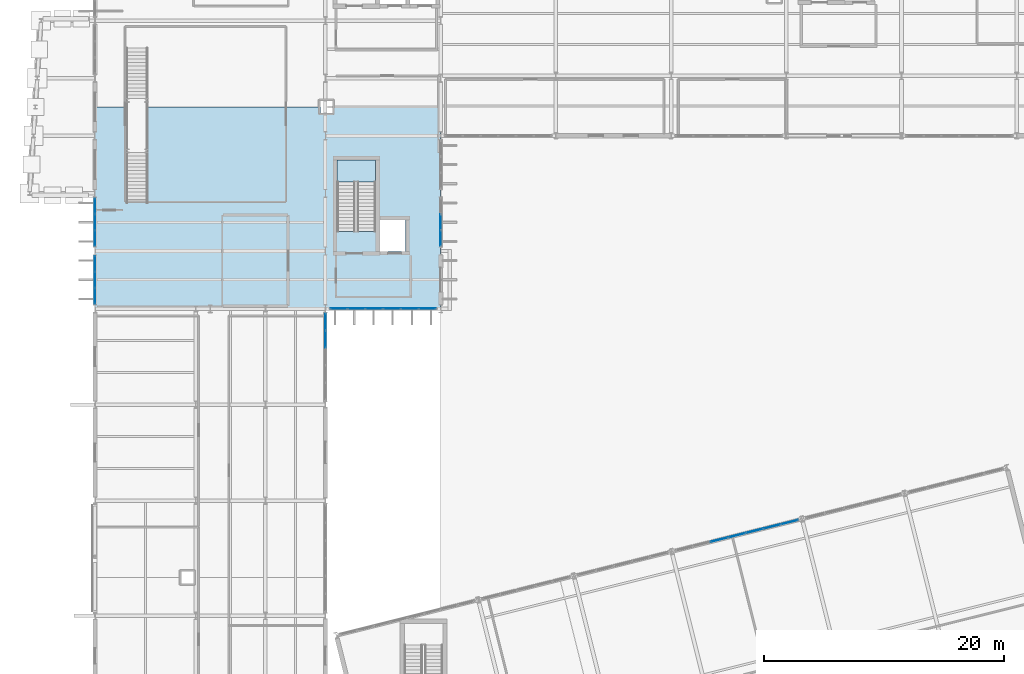
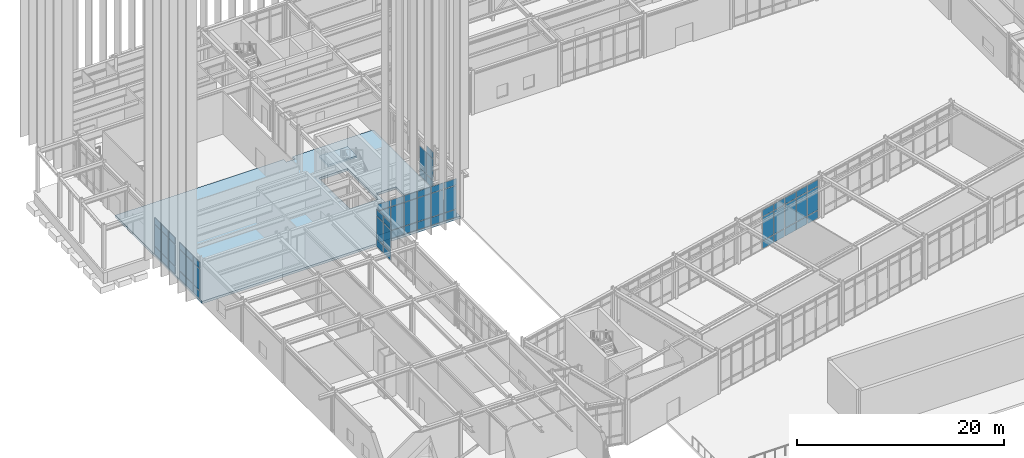
# One storey, part 72 of 109: 62 plates, 2 slabs, 7 elements without a shape of their own.
"""IFC4 building model written with IfcOpenShell, lengths in metres."""

from ifc_helpers import new_model, si_unit, direction, frame, origin, origin_2d, place, context, subcontext, project, spatial, polyline, rectangle, outline, extrude, material, layer, layer_set, type_object, element, aggregate, save


model = new_model("IFC4")

# Units and contexts
model_context = context("Model", 3, precision=1e-05, world=origin(), true_north=direction((0.0, 1.0)))
body_context = subcontext(model_context, "Body", "Model", "MODEL_VIEW")
ifc_project = project(units=[si_unit("LENGTHUNIT", "METRE"), si_unit("AREAUNIT", "SQUARE_METRE"), si_unit("VOLUMEUNIT", "CUBIC_METRE"), si_unit("PLANEANGLEUNIT", "RADIAN"), si_unit("MASSUNIT", "GRAM", prefix="KILO")], contexts=[model_context])

# Site, building, storey
site_placement = place(None, origin())
site = spatial("IfcSite", under=ifc_project, at=site_placement, CompositionType="ELEMENT")
building_placement = place(site_placement, origin())
building = spatial("IfcBuilding", under=site, at=building_placement, Name="Nordkorset Police Headquarters", CompositionType="ELEMENT")
storey_placement = place(building_placement, origin())
storey = spatial("IfcBuildingStorey", under=building, at=storey_placement, Name="L00", CompositionType="ELEMENT", Elevation=0.0)

# Curtain wall, plates
ifc_material_1 = material(Name="Aluminium alloy AW-6060", Category="aluminium")
ifc_layer_1 = layer(ifc_material_1, 0.179931640625, Name="Aluminium alloy AW-6060")
ifc_layer_set_1 = layer_set([ifc_layer_1], Name="Aluminium alloy AW-6060")
curtain_wall_type_1 = type_object("IfcCurtainWallType", Name="CW_Unit_408x444", PredefinedType="USERDEFINED", material=ifc_layer_set_1)
curtain_wall_1_placement = place(storey_placement, origin())
curtain_wall_1 = element("IfcCurtainWall", 1, at=curtain_wall_1_placement, inside=storey, type_object=curtain_wall_type_1, Name="Unitised Curtain Wall L00 V1W-0", ObjectType="UNITISED CURTAIN WALL", PredefinedType="USERDEFINED")
ifc_material_2 = material(Name="Low-iron triple glazing", Category="glass")
ifc_layer_2 = layer(ifc_material_2, 0.035888671875, Name="Low-iron triple glazing")
ifc_layer_set_2 = layer_set([ifc_layer_2], Name="Low-iron triple glazing")
plate_type = type_object("IfcPlateType", Name="CW_Panel_TripleGlazing_36", PredefinedType="CURTAIN_PANEL", material=ifc_layer_set_2)
plate_1_placement = place(storey_placement, frame((0.0, 84.25634765625, 0.06494140625), z_axis=(0.0, 0.0, 1.0), x_axis=(0.0, 1.0, 0.0)))
plate_1 = element("IfcPlate", 2, at=plate_1_placement, type_object=plate_type, Name="CW-66 panel 1.1", PredefinedType="CURTAIN_PANEL", context=body_context, shape_type="SweptSolid", body=[
    extrude(rectangle(XDim=1.262451171875, YDim=0.035888671875, at=origin_2d()), origin(), (0.0, 0.0, 1.0), 0.902587890625),
])
plate_2_placement = place(storey_placement, frame((0.0, 84.25634765625, 1.032470703125), z_axis=(0.0, 0.0, 1.0), x_axis=(0.0, 1.0, 0.0)))
plate_2 = element("IfcPlate", 3, at=plate_2_placement, type_object=plate_type, Name="CW-66 panel 1.2", PredefinedType="CURTAIN_PANEL", context=body_context, shape_type="SweptSolid", body=[
    extrude(rectangle(XDim=1.262451171875, YDim=0.035888671875, at=origin_2d()), origin(), (0.0, 0.0, 1.0), 2.52490234375),
])
plate_3_placement = place(storey_placement, frame((0.0, 84.25634765625, 3.62255859375), z_axis=(0.0, 0.0, 1.0), x_axis=(0.0, 1.0, 0.0)))
plate_3 = element("IfcPlate", 4, at=plate_3_placement, type_object=plate_type, Name="CW-66 panel 1.3", PredefinedType="CURTAIN_PANEL", context=body_context, shape_type="SweptSolid", body=[
    extrude(rectangle(XDim=1.262451171875, YDim=0.035888671875, at=origin_2d()), origin(), (0.0, 0.0, 1.0), 0.75244140625),
])
plate_4_placement = place(storey_placement, frame((0.0, 85.60009765625, 0.06494140625), z_axis=(0.0, 0.0, 1.0), x_axis=(0.0, 1.0, 0.0)))
plate_4 = element("IfcPlate", 5, at=plate_4_placement, type_object=plate_type, Name="CW-66 panel 2.1", PredefinedType="CURTAIN_PANEL", context=body_context, shape_type="SweptSolid", body=[
    extrude(rectangle(XDim=1.294921875, YDim=0.035888671875, at=origin_2d()), origin(), (0.0, 0.0, 1.0), 0.902587890625),
])
plate_5_placement = place(storey_placement, frame((0.0, 85.60009765625, 1.032470703125), z_axis=(0.0, 0.0, 1.0), x_axis=(0.0, 1.0, 0.0)))
plate_5 = element("IfcPlate", 6, at=plate_5_placement, type_object=plate_type, Name="CW-66 panel 2.2", PredefinedType="CURTAIN_PANEL", context=body_context, shape_type="SweptSolid", body=[
    extrude(rectangle(XDim=1.294921875, YDim=0.035888671875, at=origin_2d()), origin(), (0.0, 0.0, 1.0), 2.52490234375),
])
plate_6_placement = place(storey_placement, frame((0.0, 85.60009765625, 3.62255859375), z_axis=(0.0, 0.0, 1.0), x_axis=(0.0, 1.0, 0.0)))
plate_6 = element("IfcPlate", 7, at=plate_6_placement, type_object=plate_type, Name="CW-66 panel 2.3", PredefinedType="CURTAIN_PANEL", context=body_context, shape_type="SweptSolid", body=[
    extrude(rectangle(XDim=1.294921875, YDim=0.035888671875, at=origin_2d()), origin(), (0.0, 0.0, 1.0), 0.75244140625),
])
plate_7_placement = place(storey_placement, frame((0.0, 86.94384765625, 0.06494140625), z_axis=(0.0, 0.0, 1.0), x_axis=(0.0, 1.0, 0.0)))
plate_7 = element("IfcPlate", 8, at=plate_7_placement, type_object=plate_type, Name="CW-66 panel 3.1", PredefinedType="CURTAIN_PANEL", context=body_context, shape_type="SweptSolid", body=[
    extrude(rectangle(XDim=1.262451171875, YDim=0.035888671875, at=origin_2d()), origin(), (0.0, 0.0, 1.0), 0.902587890625),
])
plate_8_placement = place(storey_placement, frame((0.0, 86.94384765625, 1.032470703125), z_axis=(0.0, 0.0, 1.0), x_axis=(0.0, 1.0, 0.0)))
plate_8 = element("IfcPlate", 9, at=plate_8_placement, type_object=plate_type, Name="CW-66 panel 3.2", PredefinedType="CURTAIN_PANEL", context=body_context, shape_type="SweptSolid", body=[
    extrude(rectangle(XDim=1.262451171875, YDim=0.035888671875, at=origin_2d()), origin(), (0.0, 0.0, 1.0), 2.52490234375),
])
plate_9_placement = place(storey_placement, frame((0.0, 86.94384765625, 3.62255859375), z_axis=(0.0, 0.0, 1.0), x_axis=(0.0, 1.0, 0.0)))
plate_9 = element("IfcPlate", 10, at=plate_9_placement, type_object=plate_type, Name="CW-66 panel 3.3", PredefinedType="CURTAIN_PANEL", context=body_context, shape_type="SweptSolid", body=[
    extrude(rectangle(XDim=1.262451171875, YDim=0.035888671875, at=origin_2d()), origin(), (0.0, 0.0, 1.0), 0.75244140625),
])
aggregate(curtain_wall_1, [plate_1, plate_2, plate_3, plate_4, plate_5, plate_6, plate_7, plate_8, plate_9])

curtain_wall_2_placement = place(storey_placement, origin())
curtain_wall_2 = element("IfcCurtainWall", 11, at=curtain_wall_2_placement, inside=storey, type_object=curtain_wall_type_1, Name="Unitised Curtain Wall L00 V1W-1", ObjectType="UNITISED CURTAIN WALL", PredefinedType="USERDEFINED")
plate_10_placement = place(storey_placement, frame((0.0, 89.05615234375, 0.06494140625), z_axis=(0.0, 0.0, 1.0), x_axis=(0.0, 1.0, 0.0)))
plate_10 = element("IfcPlate", 12, at=plate_10_placement, type_object=plate_type, Name="CW-66 panel 1.1", PredefinedType="CURTAIN_PANEL", context=body_context, shape_type="SweptSolid", body=[
    extrude(rectangle(XDim=1.262451171875, YDim=0.035888671875, at=origin_2d()), origin(), (0.0, 0.0, 1.0), 0.902587890625),
])
plate_11_placement = place(storey_placement, frame((0.0, 89.05615234375, 1.032470703125), z_axis=(0.0, 0.0, 1.0), x_axis=(0.0, 1.0, 0.0)))
plate_11 = element("IfcPlate", 13, at=plate_11_placement, type_object=plate_type, Name="CW-66 panel 1.2", PredefinedType="CURTAIN_PANEL", context=body_context, shape_type="SweptSolid", body=[
    extrude(rectangle(XDim=1.262451171875, YDim=0.035888671875, at=origin_2d()), origin(), (0.0, 0.0, 1.0), 2.52490234375),
])
plate_12_placement = place(storey_placement, frame((0.0, 89.05615234375, 3.62255859375), z_axis=(0.0, 0.0, 1.0), x_axis=(0.0, 1.0, 0.0)))
plate_12 = element("IfcPlate", 14, at=plate_12_placement, type_object=plate_type, Name="CW-66 panel 1.3", PredefinedType="CURTAIN_PANEL", context=body_context, shape_type="SweptSolid", body=[
    extrude(rectangle(XDim=1.262451171875, YDim=0.035888671875, at=origin_2d()), origin(), (0.0, 0.0, 1.0), 0.75244140625),
])
plate_13_placement = place(storey_placement, frame((0.0, 90.39990234375, 0.06494140625), z_axis=(0.0, 0.0, 1.0), x_axis=(0.0, 1.0, 0.0)))
plate_13 = element("IfcPlate", 15, at=plate_13_placement, type_object=plate_type, Name="CW-66 panel 2.1", PredefinedType="CURTAIN_PANEL", context=body_context, shape_type="SweptSolid", body=[
    extrude(rectangle(XDim=1.294921875, YDim=0.035888671875, at=origin_2d()), origin(), (0.0, 0.0, 1.0), 0.902587890625),
])
plate_14_placement = place(storey_placement, frame((0.0, 90.39990234375, 1.032470703125), z_axis=(0.0, 0.0, 1.0), x_axis=(0.0, 1.0, 0.0)))
plate_14 = element("IfcPlate", 16, at=plate_14_placement, type_object=plate_type, Name="CW-66 panel 2.2", PredefinedType="CURTAIN_PANEL", context=body_context, shape_type="SweptSolid", body=[
    extrude(rectangle(XDim=1.294921875, YDim=0.035888671875, at=origin_2d()), origin(), (0.0, 0.0, 1.0), 2.52490234375),
])
plate_15_placement = place(storey_placement, frame((0.0, 90.39990234375, 3.62255859375), z_axis=(0.0, 0.0, 1.0), x_axis=(0.0, 1.0, 0.0)))
plate_15 = element("IfcPlate", 17, at=plate_15_placement, type_object=plate_type, Name="CW-66 panel 2.3", PredefinedType="CURTAIN_PANEL", context=body_context, shape_type="SweptSolid", body=[
    extrude(rectangle(XDim=1.294921875, YDim=0.035888671875, at=origin_2d()), origin(), (0.0, 0.0, 1.0), 0.75244140625),
])
plate_16_placement = place(storey_placement, frame((0.0, 91.74365234375, 0.06494140625), z_axis=(0.0, 0.0, 1.0), x_axis=(0.0, 1.0, 0.0)))
plate_16 = element("IfcPlate", 18, at=plate_16_placement, type_object=plate_type, Name="CW-66 panel 3.1", PredefinedType="CURTAIN_PANEL", context=body_context, shape_type="SweptSolid", body=[
    extrude(rectangle(XDim=1.262451171875, YDim=0.035888671875, at=origin_2d()), origin(), (0.0, 0.0, 1.0), 0.902587890625),
])
plate_17_placement = place(storey_placement, frame((0.0, 91.74365234375, 1.032470703125), z_axis=(0.0, 0.0, 1.0), x_axis=(0.0, 1.0, 0.0)))
plate_17 = element("IfcPlate", 19, at=plate_17_placement, type_object=plate_type, Name="CW-66 panel 3.2", PredefinedType="CURTAIN_PANEL", context=body_context, shape_type="SweptSolid", body=[
    extrude(rectangle(XDim=1.262451171875, YDim=0.035888671875, at=origin_2d()), origin(), (0.0, 0.0, 1.0), 2.52490234375),
])
plate_18_placement = place(storey_placement, frame((0.0, 91.74365234375, 3.62255859375), z_axis=(0.0, 0.0, 1.0), x_axis=(0.0, 1.0, 0.0)))
plate_18 = element("IfcPlate", 20, at=plate_18_placement, type_object=plate_type, Name="CW-66 panel 3.3", PredefinedType="CURTAIN_PANEL", context=body_context, shape_type="SweptSolid", body=[
    extrude(rectangle(XDim=1.262451171875, YDim=0.035888671875, at=origin_2d()), origin(), (0.0, 0.0, 1.0), 0.75244140625),
])
aggregate(curtain_wall_2, [plate_10, plate_11, plate_12, plate_13, plate_14, plate_15, plate_16, plate_17, plate_18])

curtain_wall_3_placement = place(storey_placement, origin())
curtain_wall_3 = element("IfcCurtainWall", 21, at=curtain_wall_3_placement, inside=storey, type_object=curtain_wall_type_1, Name="Unitised Curtain Wall L00 V1E-1", ObjectType="UNITISED CURTAIN WALL", PredefinedType="USERDEFINED")
plate_19_placement = place(storey_placement, frame((28.800048828125, 89.05615234375, 0.06494140625), z_axis=(0.0, 0.0, 1.0), x_axis=(0.0, 1.0, 0.0)))
plate_19 = element("IfcPlate", 22, at=plate_19_placement, type_object=plate_type, Name="CW-66 panel 1.1", PredefinedType="CURTAIN_PANEL", context=body_context, shape_type="SweptSolid", body=[
    extrude(rectangle(XDim=1.262451171875, YDim=0.035888671875, at=origin_2d()), origin(), (0.0, 0.0, 1.0), 0.902587890625),
])
plate_20_placement = place(storey_placement, frame((28.800048828125, 89.05615234375, 1.032470703125), z_axis=(0.0, 0.0, 1.0), x_axis=(0.0, 1.0, 0.0)))
plate_20 = element("IfcPlate", 23, at=plate_20_placement, type_object=plate_type, Name="CW-66 panel 1.2", PredefinedType="CURTAIN_PANEL", context=body_context, shape_type="SweptSolid", body=[
    extrude(rectangle(XDim=1.262451171875, YDim=0.035888671875, at=origin_2d()), origin(), (0.0, 0.0, 1.0), 2.52490234375),
])
plate_21_placement = place(storey_placement, frame((28.800048828125, 89.05615234375, 3.62255859375), z_axis=(0.0, 0.0, 1.0), x_axis=(0.0, 1.0, 0.0)))
plate_21 = element("IfcPlate", 24, at=plate_21_placement, type_object=plate_type, Name="CW-66 panel 1.3", PredefinedType="CURTAIN_PANEL", context=body_context, shape_type="SweptSolid", body=[
    extrude(rectangle(XDim=1.262451171875, YDim=0.035888671875, at=origin_2d()), origin(), (0.0, 0.0, 1.0), 0.75244140625),
])
plate_22_placement = place(storey_placement, frame((28.800048828125, 90.39990234375, 0.06494140625), z_axis=(0.0, 0.0, 1.0), x_axis=(0.0, 1.0, 0.0)))
plate_22 = element("IfcPlate", 25, at=plate_22_placement, type_object=plate_type, Name="CW-66 panel 2.1", PredefinedType="CURTAIN_PANEL", context=body_context, shape_type="SweptSolid", body=[
    extrude(rectangle(XDim=1.294921875, YDim=0.035888671875, at=origin_2d()), origin(), (0.0, 0.0, 1.0), 0.902587890625),
])
plate_23_placement = place(storey_placement, frame((28.800048828125, 90.39990234375, 1.032470703125), z_axis=(0.0, 0.0, 1.0), x_axis=(0.0, 1.0, 0.0)))
plate_23 = element("IfcPlate", 26, at=plate_23_placement, type_object=plate_type, Name="CW-66 panel 2.2", PredefinedType="CURTAIN_PANEL", context=body_context, shape_type="SweptSolid", body=[
    extrude(rectangle(XDim=1.294921875, YDim=0.035888671875, at=origin_2d()), origin(), (0.0, 0.0, 1.0), 2.52490234375),
])
aggregate(curtain_wall_3, [plate_19, plate_20, plate_21, plate_22, plate_23])

ifc_material_3 = material(Name="Aluminium alloy AW-6060", Category="aluminium")
ifc_layer_3 = layer(ifc_material_3, 0.179931640625, Name="Aluminium alloy AW-6060")
ifc_layer_set_3 = layer_set([ifc_layer_3], Name="Aluminium alloy AW-6060")
curtain_wall_type_2 = type_object("IfcCurtainWallType", Name="CW_Unit_888x467", PredefinedType="USERDEFINED", material=ifc_layer_set_3)
curtain_wall_4_placement = place(storey_placement, origin())
curtain_wall_4 = element("IfcCurtainWall", 27, at=curtain_wall_4_placement, inside=storey, type_object=curtain_wall_type_2, Name="Unitised Curtain Wall L00 V1S-2", ObjectType="UNITISED CURTAIN WALL", PredefinedType="USERDEFINED")
plate_24_placement = place(storey_placement, frame((20.316162109375, 83.199951171875, 0.06494140625), z_axis=(0.0, 0.0, 1.0), x_axis=(1.0, 0.0, 0.0)))
plate_24 = element("IfcPlate", 28, at=plate_24_placement, type_object=plate_type, Name="CW-51 panel 1.1", PredefinedType="CURTAIN_PANEL", context=body_context, shape_type="SweptSolid", body=[
    extrude(rectangle(XDim=1.382568359375, YDim=0.035888671875, at=origin_2d()), origin(), (0.0, 0.0, 1.0), 0.902587890625),
])
plate_25_placement = place(storey_placement, frame((20.316162109375, 83.199951171875, 1.032470703125), z_axis=(0.0, 0.0, 1.0), x_axis=(1.0, 0.0, 0.0)))
plate_25 = element("IfcPlate", 29, at=plate_25_placement, type_object=plate_type, Name="CW-51 panel 1.2", PredefinedType="CURTAIN_PANEL", context=body_context, shape_type="SweptSolid", body=[
    extrude(rectangle(XDim=1.382568359375, YDim=0.035888671875, at=origin_2d()), origin(), (0.0, 0.0, 1.0), 2.7548828125),
])
plate_26_placement = place(storey_placement, frame((20.316162109375, 83.199951171875, 3.8525390625), z_axis=(0.0, 0.0, 1.0), x_axis=(1.0, 0.0, 0.0)))
plate_26 = element("IfcPlate", 30, at=plate_26_placement, type_object=plate_type, Name="CW-51 panel 1.3", PredefinedType="CURTAIN_PANEL", context=body_context, shape_type="SweptSolid", body=[
    extrude(rectangle(XDim=1.382568359375, YDim=0.035888671875, at=origin_2d()), origin(), (0.0, 0.0, 1.0), 0.75244140625),
])
plate_27_placement = place(storey_placement, frame((21.780029296875, 83.199951171875, 0.06494140625), z_axis=(0.0, 0.0, 1.0), x_axis=(1.0, 0.0, 0.0)))
plate_27 = element("IfcPlate", 31, at=plate_27_placement, type_object=plate_type, Name="CW-51 panel 2.1", PredefinedType="CURTAIN_PANEL", context=body_context, shape_type="SweptSolid", body=[
    extrude(rectangle(XDim=1.4150390625, YDim=0.035888671875, at=origin_2d()), origin(), (0.0, 0.0, 1.0), 0.902587890625),
])
plate_28_placement = place(storey_placement, frame((21.780029296875, 83.199951171875, 1.032470703125), z_axis=(0.0, 0.0, 1.0), x_axis=(1.0, 0.0, 0.0)))
plate_28 = element("IfcPlate", 32, at=plate_28_placement, type_object=plate_type, Name="CW-51 panel 2.2", PredefinedType="CURTAIN_PANEL", context=body_context, shape_type="SweptSolid", body=[
    extrude(rectangle(XDim=1.4150390625, YDim=0.035888671875, at=origin_2d()), origin(), (0.0, 0.0, 1.0), 2.7548828125),
])
plate_29_placement = place(storey_placement, frame((21.780029296875, 83.199951171875, 3.8525390625), z_axis=(0.0, 0.0, 1.0), x_axis=(1.0, 0.0, 0.0)))
plate_29 = element("IfcPlate", 33, at=plate_29_placement, type_object=plate_type, Name="CW-51 panel 2.3", PredefinedType="CURTAIN_PANEL", context=body_context, shape_type="SweptSolid", body=[
    extrude(rectangle(XDim=1.4150390625, YDim=0.035888671875, at=origin_2d()), origin(), (0.0, 0.0, 1.0), 0.75244140625),
])
plate_30_placement = place(storey_placement, frame((23.260009765625, 83.199951171875, 0.06494140625), z_axis=(0.0, 0.0, 1.0), x_axis=(1.0, 0.0, 0.0)))
plate_30 = element("IfcPlate", 34, at=plate_30_placement, type_object=plate_type, Name="CW-51 panel 3.1", PredefinedType="CURTAIN_PANEL", context=body_context, shape_type="SweptSolid", body=[
    extrude(rectangle(XDim=1.4150390625, YDim=0.035888671875, at=origin_2d()), origin(), (0.0, 0.0, 1.0), 0.902587890625),
])
plate_31_placement = place(storey_placement, frame((23.260009765625, 83.199951171875, 1.032470703125), z_axis=(0.0, 0.0, 1.0), x_axis=(1.0, 0.0, 0.0)))
plate_31 = element("IfcPlate", 35, at=plate_31_placement, type_object=plate_type, Name="CW-51 panel 3.2", PredefinedType="CURTAIN_PANEL", context=body_context, shape_type="SweptSolid", body=[
    extrude(rectangle(XDim=1.4150390625, YDim=0.035888671875, at=origin_2d()), origin(), (0.0, 0.0, 1.0), 2.7548828125),
])
plate_32_placement = place(storey_placement, frame((23.260009765625, 83.199951171875, 3.8525390625), z_axis=(0.0, 0.0, 1.0), x_axis=(1.0, 0.0, 0.0)))
plate_32 = element("IfcPlate", 36, at=plate_32_placement, type_object=plate_type, Name="CW-51 panel 3.3", PredefinedType="CURTAIN_PANEL", context=body_context, shape_type="SweptSolid", body=[
    extrude(rectangle(XDim=1.4150390625, YDim=0.035888671875, at=origin_2d()), origin(), (0.0, 0.0, 1.0), 0.75244140625),
])
plate_33_placement = place(storey_placement, frame((24.739990234375, 83.199951171875, 0.06494140625), z_axis=(0.0, 0.0, 1.0), x_axis=(1.0, 0.0, 0.0)))
plate_33 = element("IfcPlate", 37, at=plate_33_placement, type_object=plate_type, Name="CW-51 panel 4.1", PredefinedType="CURTAIN_PANEL", context=body_context, shape_type="SweptSolid", body=[
    extrude(rectangle(XDim=1.4150390625, YDim=0.035888671875, at=origin_2d()), origin(), (0.0, 0.0, 1.0), 0.902587890625),
])
plate_34_placement = place(storey_placement, frame((24.739990234375, 83.199951171875, 1.032470703125), z_axis=(0.0, 0.0, 1.0), x_axis=(1.0, 0.0, 0.0)))
plate_34 = element("IfcPlate", 38, at=plate_34_placement, type_object=plate_type, Name="CW-51 panel 4.2", PredefinedType="CURTAIN_PANEL", context=body_context, shape_type="SweptSolid", body=[
    extrude(rectangle(XDim=1.4150390625, YDim=0.035888671875, at=origin_2d()), origin(), (0.0, 0.0, 1.0), 2.7548828125),
])
plate_35_placement = place(storey_placement, frame((24.739990234375, 83.199951171875, 3.8525390625), z_axis=(0.0, 0.0, 1.0), x_axis=(1.0, 0.0, 0.0)))
plate_35 = element("IfcPlate", 39, at=plate_35_placement, type_object=plate_type, Name="CW-51 panel 4.3", PredefinedType="CURTAIN_PANEL", context=body_context, shape_type="SweptSolid", body=[
    extrude(rectangle(XDim=1.4150390625, YDim=0.035888671875, at=origin_2d()), origin(), (0.0, 0.0, 1.0), 0.75244140625),
])
plate_36_placement = place(storey_placement, frame((26.219970703125, 83.199951171875, 0.06494140625), z_axis=(0.0, 0.0, 1.0), x_axis=(1.0, 0.0, 0.0)))
plate_36 = element("IfcPlate", 40, at=plate_36_placement, type_object=plate_type, Name="CW-51 panel 5.1", PredefinedType="CURTAIN_PANEL", context=body_context, shape_type="SweptSolid", body=[
    extrude(rectangle(XDim=1.4150390625, YDim=0.035888671875, at=origin_2d()), origin(), (0.0, 0.0, 1.0), 0.902587890625),
])
plate_37_placement = place(storey_placement, frame((26.219970703125, 83.199951171875, 1.032470703125), z_axis=(0.0, 0.0, 1.0), x_axis=(1.0, 0.0, 0.0)))
plate_37 = element("IfcPlate", 41, at=plate_37_placement, type_object=plate_type, Name="CW-51 panel 5.2", PredefinedType="CURTAIN_PANEL", context=body_context, shape_type="SweptSolid", body=[
    extrude(rectangle(XDim=1.4150390625, YDim=0.035888671875, at=origin_2d()), origin(), (0.0, 0.0, 1.0), 2.7548828125),
])
plate_38_placement = place(storey_placement, frame((26.219970703125, 83.199951171875, 3.8525390625), z_axis=(0.0, 0.0, 1.0), x_axis=(1.0, 0.0, 0.0)))
plate_38 = element("IfcPlate", 42, at=plate_38_placement, type_object=plate_type, Name="CW-51 panel 5.3", PredefinedType="CURTAIN_PANEL", context=body_context, shape_type="SweptSolid", body=[
    extrude(rectangle(XDim=1.4150390625, YDim=0.035888671875, at=origin_2d()), origin(), (0.0, 0.0, 1.0), 0.75244140625),
])
plate_39_placement = place(storey_placement, frame((27.683837890625, 83.199951171875, 0.06494140625), z_axis=(0.0, 0.0, 1.0), x_axis=(1.0, 0.0, 0.0)))
plate_39 = element("IfcPlate", 43, at=plate_39_placement, type_object=plate_type, Name="CW-51 panel 6.1", PredefinedType="CURTAIN_PANEL", context=body_context, shape_type="SweptSolid", body=[
    extrude(rectangle(XDim=1.382568359375, YDim=0.035888671875, at=origin_2d()), origin(), (0.0, 0.0, 1.0), 0.902587890625),
])
plate_40_placement = place(storey_placement, frame((27.683837890625, 83.199951171875, 1.032470703125), z_axis=(0.0, 0.0, 1.0), x_axis=(1.0, 0.0, 0.0)))
plate_40 = element("IfcPlate", 44, at=plate_40_placement, type_object=plate_type, Name="CW-51 panel 6.2", PredefinedType="CURTAIN_PANEL", context=body_context, shape_type="SweptSolid", body=[
    extrude(rectangle(XDim=1.382568359375, YDim=0.035888671875, at=origin_2d()), origin(), (0.0, 0.0, 1.0), 2.7548828125),
])
plate_41_placement = place(storey_placement, frame((27.683837890625, 83.199951171875, 3.8525390625), z_axis=(0.0, 0.0, 1.0), x_axis=(1.0, 0.0, 0.0)))
plate_41 = element("IfcPlate", 45, at=plate_41_placement, type_object=plate_type, Name="CW-51 panel 6.3", PredefinedType="CURTAIN_PANEL", context=body_context, shape_type="SweptSolid", body=[
    extrude(rectangle(XDim=1.382568359375, YDim=0.035888671875, at=origin_2d()), origin(), (0.0, 0.0, 1.0), 0.75244140625),
])
aggregate(curtain_wall_4, [plate_24, plate_25, plate_26, plate_27, plate_28, plate_29, plate_30, plate_31, plate_32, plate_33, plate_34, plate_35, plate_36, plate_37, plate_38, plate_39, plate_40, plate_41])

ifc_material_4 = material(Name="Aluminium alloy AW-6060", Category="aluminium")
ifc_layer_4 = layer(ifc_material_4, 0.179931640625, Name="Aluminium alloy AW-6060")
ifc_layer_set_4 = layer_set([ifc_layer_4], Name="Aluminium alloy AW-6060")
curtain_wall_type_3 = type_object("IfcCurtainWallType", Name="CW_Unit_728x454", PredefinedType="USERDEFINED", material=ifc_layer_set_4)
curtain_wall_5_placement = place(storey_placement, origin())
curtain_wall_5 = element("IfcCurtainWall", 46, at=curtain_wall_5_placement, inside=storey, type_object=curtain_wall_type_3, Name="Unitised Curtain Wall L00 V3E-5", ObjectType="UNITISED CURTAIN WALL", PredefinedType="USERDEFINED")
plate_42_placement = place(storey_placement, frame((19.199951171875, 80.656005859375, 0.06494140625), z_axis=(0.0, 0.0, 1.0), x_axis=(0.0, 1.0, 0.0)))
plate_42 = element("IfcPlate", 47, at=plate_42_placement, type_object=plate_type, Name="CW-50 panel 4.1", PredefinedType="CURTAIN_PANEL", context=body_context, shape_type="SweptSolid", body=[
    extrude(rectangle(XDim=1.39111328125, YDim=0.035888671875, at=origin_2d()), origin(), (0.0, 0.0, 1.0), 0.902587890625),
])
plate_43_placement = place(storey_placement, frame((19.199951171875, 80.656005859375, 1.032470703125), z_axis=(0.0, 0.0, 1.0), x_axis=(0.0, 1.0, 0.0)))
plate_43 = element("IfcPlate", 48, at=plate_43_placement, type_object=plate_type, Name="CW-50 panel 4.2", PredefinedType="CURTAIN_PANEL", context=body_context, shape_type="SweptSolid", body=[
    extrude(rectangle(XDim=1.39111328125, YDim=0.035888671875, at=origin_2d()), origin(), (0.0, 0.0, 1.0), 2.625),
])
plate_44_placement = place(storey_placement, frame((19.199951171875, 80.656005859375, 3.722412109375), z_axis=(0.0, 0.0, 1.0), x_axis=(0.0, 1.0, 0.0)))
plate_44 = element("IfcPlate", 49, at=plate_44_placement, type_object=plate_type, Name="CW-50 panel 4.3", PredefinedType="CURTAIN_PANEL", context=body_context, shape_type="SweptSolid", body=[
    extrude(rectangle(XDim=1.39111328125, YDim=0.035888671875, at=origin_2d()), origin(), (0.0, 0.0, 1.0), 0.75244140625),
])
plate_45_placement = place(storey_placement, frame((19.199951171875, 82.095703125, 0.06494140625), z_axis=(0.0, 0.0, 1.0), x_axis=(0.0, 1.0, 0.0)))
plate_45 = element("IfcPlate", 50, at=plate_45_placement, type_object=plate_type, Name="CW-50 panel 5.1", PredefinedType="CURTAIN_PANEL", context=body_context, shape_type="SweptSolid", body=[
    extrude(rectangle(XDim=1.3583984375, YDim=0.035888671875, at=origin_2d()), origin(), (0.0, 0.0, 1.0), 0.902587890625),
])
plate_46_placement = place(storey_placement, frame((19.199951171875, 82.095703125, 1.032470703125), z_axis=(0.0, 0.0, 1.0), x_axis=(0.0, 1.0, 0.0)))
plate_46 = element("IfcPlate", 51, at=plate_46_placement, type_object=plate_type, Name="CW-50 panel 5.2", PredefinedType="CURTAIN_PANEL", context=body_context, shape_type="SweptSolid", body=[
    extrude(rectangle(XDim=1.3583984375, YDim=0.035888671875, at=origin_2d()), origin(), (0.0, 0.0, 1.0), 2.625),
])
plate_47_placement = place(storey_placement, frame((19.199951171875, 82.095703125, 3.722412109375), z_axis=(0.0, 0.0, 1.0), x_axis=(0.0, 1.0, 0.0)))
plate_47 = element("IfcPlate", 52, at=plate_47_placement, type_object=plate_type, Name="CW-50 panel 5.3", PredefinedType="CURTAIN_PANEL", context=body_context, shape_type="SweptSolid", body=[
    extrude(rectangle(XDim=1.3583984375, YDim=0.035888671875, at=origin_2d()), origin(), (0.0, 0.0, 1.0), 0.75244140625),
])
aggregate(curtain_wall_5, [plate_42, plate_43, plate_44, plate_45, plate_46, plate_47])

ifc_material_5 = material(Name="Aluminium alloy AW-6060", Category="aluminium")
ifc_layer_5 = layer(ifc_material_5, 0.179931640625, Name="Aluminium alloy AW-6060")
ifc_layer_set_5 = layer_set([ifc_layer_5], Name="Aluminium alloy AW-6060")
curtain_wall_type_4 = type_object("IfcCurtainWallType", Name="CW_Unit_1056x467", PredefinedType="USERDEFINED", material=ifc_layer_set_5)
curtain_wall_6_placement = place(storey_placement, origin())
curtain_wall_6 = element("IfcCurtainWall", 53, at=curtain_wall_6_placement, inside=storey, type_object=curtain_wall_type_4, Name="Unitised Curtain Wall L00 V4N-3", ObjectType="UNITISED CURTAIN WALL", PredefinedType="USERDEFINED")
plate_48_placement = place(storey_placement, frame((52.016845703125, 63.947509765625, 0.06494140625), z_axis=(0.0, 0.0, 1.0), x_axis=(0.970142388735, 0.242536070676, 0.0)))
plate_48 = element("IfcPlate", 54, at=plate_48_placement, type_object=plate_type, Name="CW-18 panel 3.1", PredefinedType="CURTAIN_PANEL", context=body_context, shape_type="SweptSolid", body=[
    extrude(rectangle(XDim=1.443603515625, YDim=0.035888671875, at=origin_2d()), origin(), (0.0, 0.0, 1.0), 0.902587890625),
])
plate_49_placement = place(storey_placement, frame((52.016845703125, 63.947509765625, 1.032470703125), z_axis=(0.0, 0.0, 1.0), x_axis=(0.970142388735, 0.242536070676, 0.0)))
plate_49 = element("IfcPlate", 55, at=plate_49_placement, type_object=plate_type, Name="CW-18 panel 3.2", PredefinedType="CURTAIN_PANEL", context=body_context, shape_type="SweptSolid", body=[
    extrude(rectangle(XDim=1.443603515625, YDim=0.035888671875, at=origin_2d()), origin(), (0.0, 0.0, 1.0), 2.7548828125),
])
plate_50_placement = place(storey_placement, frame((52.016845703125, 63.947509765625, 3.8525390625), z_axis=(0.0, 0.0, 1.0), x_axis=(0.970142388735, 0.242536070676, 0.0)))
plate_50 = element("IfcPlate", 56, at=plate_50_placement, type_object=plate_type, Name="CW-18 panel 3.3", PredefinedType="CURTAIN_PANEL", context=body_context, shape_type="SweptSolid", body=[
    extrude(rectangle(XDim=1.443603515625, YDim=0.035888671875, at=origin_2d()), origin(), (0.0, 0.0, 1.0), 0.75244140625),
])
plate_51_placement = place(storey_placement, frame((53.48046875, 64.313232421875, 0.06494140625), z_axis=(0.0, 0.0, 1.0), x_axis=(0.970142388735, 0.242536070676, 0.0)))
plate_51 = element("IfcPlate", 57, at=plate_51_placement, type_object=plate_type, Name="CW-18 panel 4.1", PredefinedType="CURTAIN_PANEL", context=body_context, shape_type="SweptSolid", body=[
    extrude(rectangle(XDim=1.443603515625, YDim=0.035888671875, at=origin_2d()), origin(), (0.0, 0.0, 1.0), 0.902587890625),
])
plate_52_placement = place(storey_placement, frame((53.48046875, 64.313232421875, 1.032470703125), z_axis=(0.0, 0.0, 1.0), x_axis=(0.970142388735, 0.242536070676, 0.0)))
plate_52 = element("IfcPlate", 58, at=plate_52_placement, type_object=plate_type, Name="CW-18 panel 4.2", PredefinedType="CURTAIN_PANEL", context=body_context, shape_type="SweptSolid", body=[
    extrude(rectangle(XDim=1.443603515625, YDim=0.035888671875, at=origin_2d()), origin(), (0.0, 0.0, 1.0), 2.7548828125),
])
plate_53_placement = place(storey_placement, frame((53.48046875, 64.313232421875, 3.8525390625), z_axis=(0.0, 0.0, 1.0), x_axis=(0.970142388735, 0.242536070676, 0.0)))
plate_53 = element("IfcPlate", 59, at=plate_53_placement, type_object=plate_type, Name="CW-18 panel 4.3", PredefinedType="CURTAIN_PANEL", context=body_context, shape_type="SweptSolid", body=[
    extrude(rectangle(XDim=1.443603515625, YDim=0.035888671875, at=origin_2d()), origin(), (0.0, 0.0, 1.0), 0.75244140625),
])
plate_54_placement = place(storey_placement, frame((54.94384765625, 64.67919921875, 0.06494140625), z_axis=(0.0, 0.0, 1.0), x_axis=(0.970142388735, 0.242536070676, 0.0)))
plate_54 = element("IfcPlate", 60, at=plate_54_placement, type_object=plate_type, Name="CW-18 panel 5.1", PredefinedType="CURTAIN_PANEL", context=body_context, shape_type="SweptSolid", body=[
    extrude(rectangle(XDim=1.443603515625, YDim=0.035888671875, at=origin_2d()), origin(), (0.0, 0.0, 1.0), 0.902587890625),
])
plate_55_placement = place(storey_placement, frame((54.94384765625, 64.67919921875, 1.032470703125), z_axis=(0.0, 0.0, 1.0), x_axis=(0.970142388735, 0.242536070676, 0.0)))
plate_55 = element("IfcPlate", 61, at=plate_55_placement, type_object=plate_type, Name="CW-18 panel 5.2", PredefinedType="CURTAIN_PANEL", context=body_context, shape_type="SweptSolid", body=[
    extrude(rectangle(XDim=1.443603515625, YDim=0.035888671875, at=origin_2d()), origin(), (0.0, 0.0, 1.0), 2.7548828125),
])
plate_56_placement = place(storey_placement, frame((54.94384765625, 64.67919921875, 3.8525390625), z_axis=(0.0, 0.0, 1.0), x_axis=(0.970142388735, 0.242536070676, 0.0)))
plate_56 = element("IfcPlate", 62, at=plate_56_placement, type_object=plate_type, Name="CW-18 panel 5.3", PredefinedType="CURTAIN_PANEL", context=body_context, shape_type="SweptSolid", body=[
    extrude(rectangle(XDim=1.443603515625, YDim=0.035888671875, at=origin_2d()), origin(), (0.0, 0.0, 1.0), 0.75244140625),
])
plate_57_placement = place(storey_placement, frame((56.407470703125, 65.045166015625, 0.06494140625), z_axis=(0.0, 0.0, 1.0), x_axis=(0.970142388735, 0.242536070676, 0.0)))
plate_57 = element("IfcPlate", 63, at=plate_57_placement, type_object=plate_type, Name="CW-18 panel 6.1", PredefinedType="CURTAIN_PANEL", context=body_context, shape_type="SweptSolid", body=[
    extrude(rectangle(XDim=1.443603515625, YDim=0.035888671875, at=origin_2d()), origin(), (0.0, 0.0, 1.0), 0.902587890625),
])
plate_58_placement = place(storey_placement, frame((56.407470703125, 65.045166015625, 1.032470703125), z_axis=(0.0, 0.0, 1.0), x_axis=(0.970142388735, 0.242536070676, 0.0)))
plate_58 = element("IfcPlate", 64, at=plate_58_placement, type_object=plate_type, Name="CW-18 panel 6.2", PredefinedType="CURTAIN_PANEL", context=body_context, shape_type="SweptSolid", body=[
    extrude(rectangle(XDim=1.443603515625, YDim=0.035888671875, at=origin_2d()), origin(), (0.0, 0.0, 1.0), 2.7548828125),
])
plate_59_placement = place(storey_placement, frame((56.407470703125, 65.045166015625, 3.8525390625), z_axis=(0.0, 0.0, 1.0), x_axis=(0.970142388735, 0.242536070676, 0.0)))
plate_59 = element("IfcPlate", 65, at=plate_59_placement, type_object=plate_type, Name="CW-18 panel 6.3", PredefinedType="CURTAIN_PANEL", context=body_context, shape_type="SweptSolid", body=[
    extrude(rectangle(XDim=1.443603515625, YDim=0.035888671875, at=origin_2d()), origin(), (0.0, 0.0, 1.0), 0.75244140625),
])
plate_60_placement = place(storey_placement, frame((57.855224609375, 65.406982421875, 0.06494140625), z_axis=(0.0, 0.0, 1.0), x_axis=(0.970142388735, 0.242536070676, 0.0)))
plate_60 = element("IfcPlate", 66, at=plate_60_placement, type_object=plate_type, Name="CW-18 panel 7.1", PredefinedType="CURTAIN_PANEL", context=body_context, shape_type="SweptSolid", body=[
    extrude(rectangle(XDim=1.4111328125, YDim=0.035888671875, at=origin_2d()), origin(), (0.0, 0.0, 1.0), 0.902587890625),
])
plate_61_placement = place(storey_placement, frame((57.855224609375, 65.406982421875, 1.032470703125), z_axis=(0.0, 0.0, 1.0), x_axis=(0.970142388735, 0.242536070676, 0.0)))
plate_61 = element("IfcPlate", 67, at=plate_61_placement, type_object=plate_type, Name="CW-18 panel 7.2", PredefinedType="CURTAIN_PANEL", context=body_context, shape_type="SweptSolid", body=[
    extrude(rectangle(XDim=1.4111328125, YDim=0.035888671875, at=origin_2d()), origin(), (0.0, 0.0, 1.0), 2.7548828125),
])
plate_62_placement = place(storey_placement, frame((57.855224609375, 65.406982421875, 3.8525390625), z_axis=(0.0, 0.0, 1.0), x_axis=(0.970142388735, 0.242536070676, 0.0)))
plate_62 = element("IfcPlate", 68, at=plate_62_placement, type_object=plate_type, Name="CW-18 panel 7.3", PredefinedType="CURTAIN_PANEL", context=body_context, shape_type="SweptSolid", body=[
    extrude(rectangle(XDim=1.4111328125, YDim=0.035888671875, at=origin_2d()), origin(), (0.0, 0.0, 1.0), 0.75244140625),
])
aggregate(curtain_wall_6, [plate_48, plate_49, plate_50, plate_51, plate_52, plate_53, plate_54, plate_55, plate_56, plate_57, plate_58, plate_59, plate_60, plate_61, plate_62])

# Slab
ifc_material_6 = material(Name="Concrete C35/45", Category="concrete")
ifc_layer_6 = layer(ifc_material_6, 0.27001953125, Name="Concrete C35/45")
ifc_layer_set_6 = layer_set([ifc_layer_6], Name="Concrete C35/45")
slab_type_1 = type_object("IfcSlabType", Name="Slab_Ground_270", PredefinedType="FLOOR", material=ifc_layer_set_6)
slab_1_placement = place(storey_placement, frame((0.0, 0.0, -0.27001953125)))
element("IfcSlab", 69, at=slab_1_placement, inside=storey, type_object=slab_type_1, Name="Composite Floor Slab V1 South L00", PredefinedType="FLOOR", context=body_context, shape_type="SweptSolid", body=[
    extrude(outline(polyline([(18.780029296875, 100.0), (18.780029296875, 99.5), (19.780029296875, 99.5), (19.780029296875, 100.0), (28.800048828125, 100.0), (28.800048828125, 83.199951171875), (0.0, 83.199951171875), (0.0, 100.0), (18.780029296875, 100.0)]), holes=[polyline([(20.175048828125, 95.574951171875), (20.175048828125, 89.6279296875), (23.375, 89.6279296875), (23.375, 95.574951171875), (20.175048828125, 95.574951171875)]), polyline([(25.875, 90.574951171875), (23.72509765625, 90.574951171875), (23.72509765625, 87.97509765625), (25.875, 87.97509765625), (25.875, 90.574951171875)])]), origin(), (0.0, 0.0, 1.0), 0.27001953125),
])

# Stair, slab
ifc_material_7 = material(Name="Concrete C35/45", Category="concrete")
stair_type = type_object("IfcStairType", Name="ST-52", PredefinedType="HALF_TURN_STAIR", material=ifc_material_7)
stair_placement = place(storey_placement, origin())
stair = element("IfcStair", 70, at=stair_placement, inside=storey, type_object=stair_type, Name="L00 Protected Escape Stair ST-03", PredefinedType="HALF_TURN_STAIR")
ifc_material_8 = material(Name="Concrete C35/45", Category="concrete")
ifc_layer_7 = layer(ifc_material_8, 0.199951171875, Name="Concrete C35/45")
ifc_layer_set_7 = layer_set([ifc_layer_7], Name="Concrete C35/45")
slab_type_2 = type_object("IfcSlabType", Name="Slab_StairLanding_200", PredefinedType="LANDING", material=ifc_layer_set_7)
slab_2_placement = place(storey_placement, frame((0.0, 0.0, 2.425048828125)))
slab_2 = element("IfcSlab", 71, at=slab_2_placement, type_object=slab_type_2, Name="ST-03 landing 1", PredefinedType="LANDING", context=body_context, shape_type="SweptSolid", body=[
    extrude(outline(polyline([(23.375, 93.7548828125), (23.375, 95.574951171875), (20.175048828125, 95.574951171875), (20.175048828125, 93.7548828125), (23.375, 93.7548828125)])), origin(), (0.0, 0.0, 1.0), 0.199951171875),
])
aggregate(stair, [slab_2])

save(model, "model.ifc")
